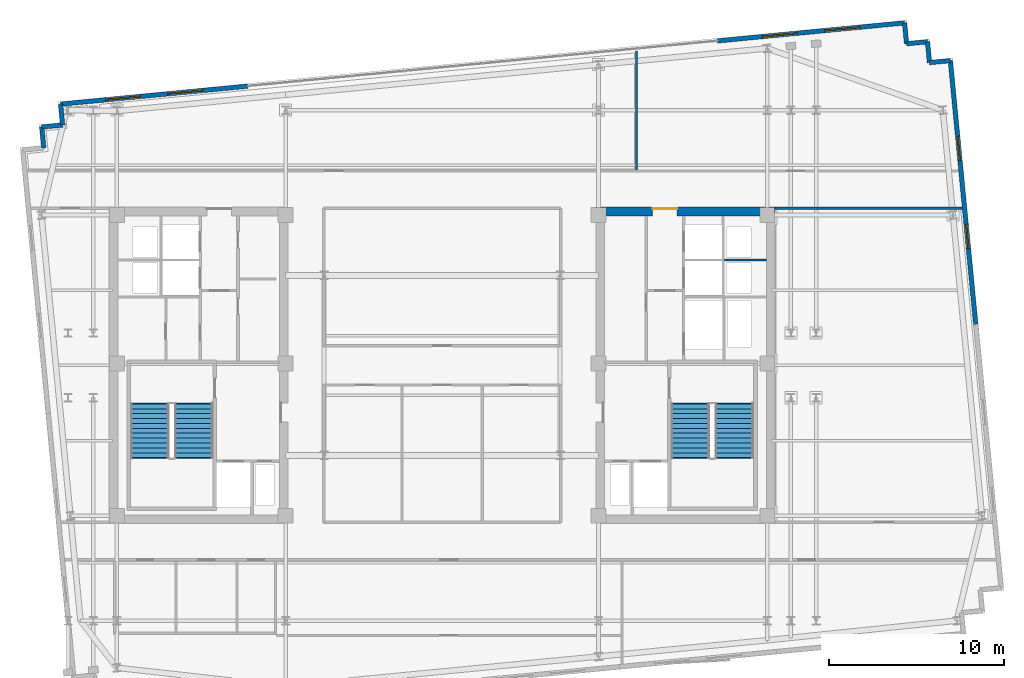
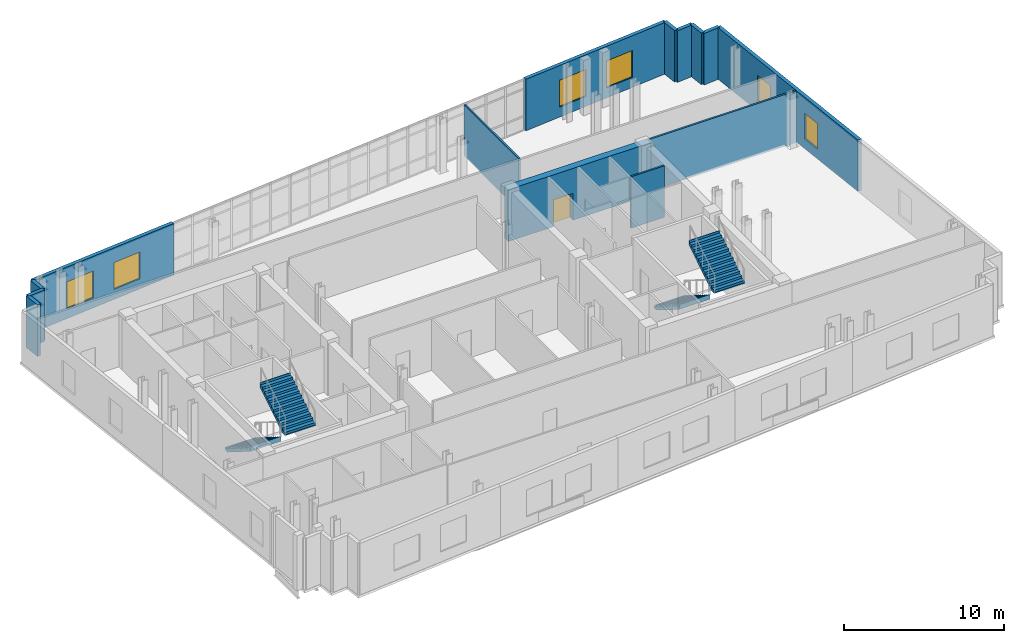
# One storey, part 9 of 11: 14 walls, 6 windows, 4 stair flights, 1 door, 7 openings, 2 elements without a shape of their own.
"""IFC4 building model written with IfcOpenShell, lengths in metres."""

from ifc_helpers import new_model, si_unit, direction, frame, frame_2d, origin, place, context, subcontext, project, spatial, polyline, rectangle, outline, extrude, material, layer, layer_set, type_object, element, fill, aggregate, save


model = new_model("IFC4")

# Units and contexts
model_context = context("Model", 3, precision=1e-05, world=origin(), true_north=direction((0.0, 1.0)))
body_context = subcontext(model_context, "Body", "Model", "MODEL_VIEW")
ifc_project = project(units=[si_unit("LENGTHUNIT", "METRE"), si_unit("AREAUNIT", "SQUARE_METRE"), si_unit("VOLUMEUNIT", "CUBIC_METRE"), si_unit("PLANEANGLEUNIT", "RADIAN"), si_unit("MASSUNIT", "GRAM", prefix="KILO")], contexts=[model_context])

# Site, building, storey
site_placement = place(None, origin())
site = spatial("IfcSite", under=ifc_project, at=site_placement, CompositionType="ELEMENT")
building_placement = place(site_placement, origin())
building = spatial("IfcBuilding", under=site, at=building_placement, Name="Velakula Bourse", CompositionType="ELEMENT")
storey_placement = place(building_placement, frame((0.0, 0.0, 282.75)))
storey = spatial("IfcBuildingStorey", under=building, at=storey_placement, Name="L77", CompositionType="ELEMENT", Elevation=282.75)

# Wall, opening, door
ifc_material_1 = material(Name="Concrete M50 (fck 50 MPa)", Category="concrete")
ifc_layer_1 = layer(ifc_material_1, 0.5, Name="Concrete M50 (fck 50 MPa)", Category="concrete")
ifc_layer_set_1 = layer_set([ifc_layer_1], Name="Concrete M50 (fck 50 MPa)")
wall_type_1 = type_object("IfcWallType", Name="WL-CORE-500", PredefinedType="SHEAR", material=ifc_layer_set_1)
wall_1_placement = place(storey_placement, frame((8.800048828125, 8.800048828125, 0.0), z_axis=(0.0, 0.0, 1.0), x_axis=(1.0, 0.0, 0.0)))
wall_1 = element("IfcWall", 1, at=wall_1_placement, inside=storey, type_object=wall_type_1, Name="L77 Core E Shear Wall N", PredefinedType="SHEAR", context=body_context, shape_type="SweptSolid", body=[
    extrude(rectangle(XDim=10.25, YDim=0.5, at=frame_2d((5.125, 0.0))), origin(), (0.0, 0.0, 1.0), 3.949951171875),
])
opening_1_placement = place(wall_1_placement, frame((3.25, 0.0, 0.0)))
opening_1 = element("IfcOpeningElement", 2, at=opening_1_placement, cuts=wall_1, Name="Opening D-LLE", PredefinedType="OPENING", context=body_context, shape_type="SweptSolid", body=[
    extrude(rectangle(XDim=1.39990234375, YDim=2.050048828125, at=frame_2d((0.699951171875, 1.02490234375))), frame((0.0, 0.260009765625, 0.0), z_axis=(0.0, -1.0, 0.0), x_axis=(1.0, 0.0, 0.0)), (0.0, 0.0, 1.0), 0.52001953125),
])
ifc_material_2 = material(Name="Fire-rated hardwood flush architectural door", Category="wood")
door_type = type_object("IfcDoorType", Name="DR-DBL-FD60-1400", OperationType="DOUBLE_DOOR_SINGLE_SWING", PredefinedType="DOOR", material=ifc_material_2)
door_placement = place(opening_1_placement, origin())
door = element("IfcDoor", 3, at=door_placement, inside=storey, type_object=door_type, Name="L77 Core E Lift Lobby Corridor Double Door", OperationType="DOUBLE_DOOR_SINGLE_SWING", OverallHeight=2.050048828125, OverallWidth=1.39990234375, PredefinedType="DOOR", context=body_context, shape_type="SweptSolid", body=[
    extrude(rectangle(XDim=1.39990234375, YDim=2.050048828125, at=frame_2d((0.699951171875, 1.02490234375))), frame((0.0, 0.19482421875, 0.0), z_axis=(0.0, -1.0, 0.0), x_axis=(1.0, 0.0, 0.0)), (0.0, 0.0, 1.0), 0.050048828125),
])
fill(opening_1, door)

# Wall, openings, windows
ifc_material_3 = material(Name="Buff kilned clay facing brick masonry", Category="masonry")
ifc_layer_2 = layer(ifc_material_3, 0.260009765625, Name="Buff kilned clay facing brick masonry", Category="masonry")
ifc_layer_set_2 = layer_set([ifc_layer_2], Name="Buff kilned clay facing brick masonry")
wall_type_2 = type_object("IfcWallType", Name="WL-EXT-BRK-260", PredefinedType="STANDARD", material=ifc_layer_set_2)
wall_2_placement = place(storey_placement, frame((-21.820556640625, 14.94482421875, 0.0), z_axis=(0.0, 0.0, 1.0), x_axis=(0.995394787719, 0.095860401528, 0.0)))
wall_2 = element("IfcWall", 4, at=wall_2_placement, inside=storey, type_object=wall_type_2, Name="L77 N Brick Spandrel Wall B1", PredefinedType="STANDARD", context=body_context, shape_type="SweptSolid", body=[
    extrude(rectangle(XDim=10.750244140625, YDim=0.260009765625, at=frame_2d((5.375, 0.0))), origin(), (0.0, 0.0, 1.0), 3.929931640625),
])
opening_2_placement = place(wall_2_placement, frame((2.583251953125, 0.0, 0.760009765625)))
opening_2 = element("IfcOpeningElement", 5, at=opening_2_placement, cuts=wall_2, Name="Opening W-05", PredefinedType="OPENING", context=body_context, shape_type="SweptSolid", body=[
    extrude(rectangle(XDim=2.0, YDim=2.050048828125, at=frame_2d((1.0, 1.02490234375))), frame((0.0, 0.139892578125, 0.0), z_axis=(0.0, -1.0, 0.0), x_axis=(1.0, 0.0, 0.0)), (0.0, 0.0, 1.0), 0.280029296875),
])
opening_3_placement = place(wall_2_placement, frame((6.166748046875, 0.0, 0.760009765625)))
opening_3 = element("IfcOpeningElement", 6, at=opening_3_placement, cuts=wall_2, Name="Opening W-05", PredefinedType="OPENING", context=body_context, shape_type="SweptSolid", body=[
    extrude(rectangle(XDim=2.0, YDim=2.050048828125, at=frame_2d((1.0, 1.02490234375))), frame((0.0, 0.139892578125, 0.0), z_axis=(0.0, -1.0, 0.0), x_axis=(1.0, 0.0, 0.0)), (0.0, 0.0, 1.0), 0.280029296875),
])
ifc_material_4 = material(Name="Double-glazed solar-control Low-E glass", Category="glass")
window_type_1 = type_object("IfcWindowType", Name="WIN-TWR-2000x2200", PartitioningType="DOUBLE_PANEL_VERTICAL", PredefinedType="WINDOW", material=ifc_material_4)
window_1_placement = place(opening_2_placement, origin())
window_1 = element("IfcWindow", 7, at=window_1_placement, inside=storey, type_object=window_type_1, Name="L77 Deep-Set Recessed Window 1", OverallHeight=2.050048828125, OverallWidth=2.0, PartitioningType="DOUBLE_PANEL_VERTICAL", PredefinedType="WINDOW", context=body_context, shape_type="SweptSolid", body=[
    extrude(rectangle(XDim=2.0, YDim=2.050048828125, at=frame_2d((1.0, 1.02490234375))), frame((0.0, 0.030029296875, 0.0), z_axis=(0.0, -1.0, 0.0), x_axis=(1.0, 0.0, 0.0)), (0.0, 0.0, 1.0), 0.06005859375),
])
fill(opening_2, window_1)
window_2_placement = place(opening_3_placement, origin())
window_2 = element("IfcWindow", 8, at=window_2_placement, inside=storey, type_object=window_type_1, Name="L77 Deep-Set Recessed Window 2", OverallHeight=2.050048828125, OverallWidth=2.0, PartitioningType="DOUBLE_PANEL_VERTICAL", PredefinedType="WINDOW", context=body_context, shape_type="SweptSolid", body=[
    extrude(rectangle(XDim=2.0, YDim=2.050048828125, at=frame_2d((1.0, 1.02490234375))), frame((0.0, 0.030029296875, 0.0), z_axis=(0.0, -1.0, 0.0), x_axis=(1.0, 0.0, 0.0)), (0.0, 0.0, 1.0), 0.06005859375),
])
fill(opening_3, window_2)

wall_3_placement = place(storey_placement, frame((15.755859375, 18.563232421875, 0.0), z_axis=(0.0, 0.0, 1.0), x_axis=(0.995396745868, 0.095840066339, 0.0)))
wall_3 = element("IfcWall", 9, at=wall_3_placement, inside=storey, type_object=wall_type_2, Name="L77 N Brick Spandrel Wall B5", PredefinedType="STANDARD", context=body_context, shape_type="SweptSolid", body=[
    extrude(rectangle(XDim=10.75, YDim=0.260009765625, at=frame_2d((5.375, 0.0))), origin(), (0.0, 0.0, 1.0), 3.929931640625),
])
opening_4_placement = place(wall_3_placement, frame((2.583251953125, 0.0, 0.760009765625)))
opening_4 = element("IfcOpeningElement", 10, at=opening_4_placement, cuts=wall_3, Name="Opening W-05", PredefinedType="OPENING", context=body_context, shape_type="SweptSolid", body=[
    extrude(rectangle(XDim=2.0, YDim=2.050048828125, at=frame_2d((1.0, 1.02490234375))), frame((0.0, 0.139892578125, 0.0), z_axis=(0.0, -1.0, 0.0), x_axis=(1.0, 0.0, 0.0)), (0.0, 0.0, 1.0), 0.280029296875),
])
opening_5_placement = place(wall_3_placement, frame((6.166748046875, 0.0, 0.760009765625)))
opening_5 = element("IfcOpeningElement", 11, at=opening_5_placement, cuts=wall_3, Name="Opening W-05", PredefinedType="OPENING", context=body_context, shape_type="SweptSolid", body=[
    extrude(rectangle(XDim=2.0, YDim=2.050048828125, at=frame_2d((1.0, 1.02490234375))), frame((0.0, 0.139892578125, 0.0), z_axis=(0.0, -1.0, 0.0), x_axis=(1.0, 0.0, 0.0)), (0.0, 0.0, 1.0), 0.280029296875),
])
window_3_placement = place(opening_4_placement, origin())
window_3 = element("IfcWindow", 12, at=window_3_placement, inside=storey, type_object=window_type_1, Name="L77 Deep-Set Recessed Window 1", OverallHeight=2.050048828125, OverallWidth=2.0, PartitioningType="DOUBLE_PANEL_VERTICAL", PredefinedType="WINDOW", context=body_context, shape_type="SweptSolid", body=[
    extrude(rectangle(XDim=2.0, YDim=2.050048828125, at=frame_2d((1.0, 1.02490234375))), frame((0.0, 0.030029296875, 0.0), z_axis=(0.0, -1.0, 0.0), x_axis=(1.0, 0.0, 0.0)), (0.0, 0.0, 1.0), 0.06005859375),
])
fill(opening_4, window_3)
window_4_placement = place(opening_5_placement, origin())
window_4 = element("IfcWindow", 13, at=window_4_placement, inside=storey, type_object=window_type_1, Name="L77 Deep-Set Recessed Window 2", OverallHeight=2.050048828125, OverallWidth=2.0, PartitioningType="DOUBLE_PANEL_VERTICAL", PredefinedType="WINDOW", context=body_context, shape_type="SweptSolid", body=[
    extrude(rectangle(XDim=2.0, YDim=2.050048828125, at=frame_2d((1.0, 1.02490234375))), frame((0.0, 0.030029296875, 0.0), z_axis=(0.0, -1.0, 0.0), x_axis=(1.0, 0.0, 0.0)), (0.0, 0.0, 1.0), 0.06005859375),
])
fill(opening_5, window_4)

wall_4_placement = place(storey_placement, frame((29.0751953125, 17.4345703125, 0.0), z_axis=(0.0, 0.0, 1.0), x_axis=(0.095850890337, -0.995395703638, 0.0)))
wall_4 = element("IfcWall", 14, at=wall_4_placement, inside=storey, type_object=wall_type_2, Name="L77 E Brick End Wall W2", PredefinedType="STANDARD", context=body_context, shape_type="SweptSolid", body=[
    extrude(rectangle(XDim=15.150146484375, YDim=0.260009765625, at=frame_2d((7.5751953125, 0.0))), origin(), (0.0, 0.0, 1.0), 3.929931640625),
])
opening_6_placement = place(wall_4_placement, frame((4.35009765625, 0.0, 0.760009765625)))
opening_6 = element("IfcOpeningElement", 15, at=opening_6_placement, cuts=wall_4, Name="Opening W-03", PredefinedType="OPENING", context=body_context, shape_type="SweptSolid", body=[
    extrude(rectangle(XDim=1.39990234375, YDim=1.949951171875, at=frame_2d((0.699951171875, 0.97509765625))), frame((0.0, 0.139892578125, 0.0), z_axis=(0.0, -1.0, 0.0), x_axis=(1.0, 0.0, 0.0)), (0.0, 0.0, 1.0), 0.280029296875),
])
opening_7_placement = place(wall_4_placement, frame((9.39990234375, 0.0, 0.760009765625)))
opening_7 = element("IfcOpeningElement", 16, at=opening_7_placement, cuts=wall_4, Name="Opening W-03", PredefinedType="OPENING", context=body_context, shape_type="SweptSolid", body=[
    extrude(rectangle(XDim=1.39990234375, YDim=1.949951171875, at=frame_2d((0.699951171875, 0.97509765625))), frame((0.0, 0.139892578125, 0.0), z_axis=(0.0, -1.0, 0.0), x_axis=(1.0, 0.0, 0.0)), (0.0, 0.0, 1.0), 0.280029296875),
])
window_type_2 = type_object("IfcWindowType", Name="WIN-TWR-1400x2100", PartitioningType="SINGLE_PANEL", PredefinedType="WINDOW", material=ifc_material_4)
window_5_placement = place(opening_6_placement, origin())
window_5 = element("IfcWindow", 17, at=window_5_placement, inside=storey, type_object=window_type_2, Name="L77 Deep-Set Recessed Window 1", OverallHeight=1.949951171875, OverallWidth=1.39990234375, PartitioningType="SINGLE_PANEL", PredefinedType="WINDOW", context=body_context, shape_type="SweptSolid", body=[
    extrude(rectangle(XDim=1.39990234375, YDim=1.949951171875, at=frame_2d((0.699951171875, 0.97509765625))), frame((0.0, 0.030029296875, 0.0), z_axis=(0.0, -1.0, 0.0), x_axis=(1.0, 0.0, 0.0)), (0.0, 0.0, 1.0), 0.06005859375),
])
fill(opening_6, window_5)
window_6_placement = place(opening_7_placement, origin())
window_6 = element("IfcWindow", 18, at=window_6_placement, inside=storey, type_object=window_type_2, Name="L77 Deep-Set Recessed Window 2", OverallHeight=1.949951171875, OverallWidth=1.39990234375, PartitioningType="SINGLE_PANEL", PredefinedType="WINDOW", context=body_context, shape_type="SweptSolid", body=[
    extrude(rectangle(XDim=1.39990234375, YDim=1.949951171875, at=frame_2d((0.699951171875, 0.97509765625))), frame((0.0, 0.030029296875, 0.0), z_axis=(0.0, -1.0, 0.0), x_axis=(1.0, 0.0, 0.0)), (0.0, 0.0, 1.0), 0.06005859375),
])
fill(opening_7, window_6)

# Walls
for number, where, z_axis, x_axis, name in (
    (19, (29.0751953125, 17.4345703125, 0.0), (0.0, 0.0, 1.0), (-0.995397091755, -0.095836473879, 0.0), "L77 Serrated Corner Brick Wall NE-1"),
    (20, (27.880859375, 17.319580078125, 0.0), (0.0, 0.0, 1.0), (-0.095836473879, 0.995397091755, 0.0), "L77 Serrated Corner Brick Wall NE-2"),
):
    element("IfcWall", number, at=place(storey_placement, frame(where, z_axis=z_axis, x_axis=x_axis)), inside=storey, type_object=wall_type_2, Name=name, PredefinedType="STANDARD", context=body_context, shape_type="SweptSolid", body=[
        extrude(rectangle(XDim=1.199951171875, YDim=0.260009765625, at=frame_2d((0.60009765625, 0.0))), origin(), (0.0, 0.0, 1.0), 3.929931640625),
    ])
for number, where, z_axis, x_axis, name in (
    (21, (27.765869140625, 18.513916015625, 0.0), (0.0, 0.0, 1.0), (-0.995398960025, -0.095817067274, 0.0), "L77 Serrated Corner Brick Wall NE-3"),
    (22, (26.5712890625, 18.39892578125, 0.0), (0.0, 0.0, 1.0), (-0.095817067274, 0.995398960025, 0.0), "L77 Serrated Corner Brick Wall NE-4"),
):
    element("IfcWall", number, at=place(storey_placement, frame(where, z_axis=z_axis, x_axis=x_axis)), inside=storey, type_object=wall_type_2, Name=name, PredefinedType="STANDARD", context=body_context, shape_type="SweptSolid", body=[
        extrude(rectangle(XDim=1.2001953125, YDim=0.260009765625, at=frame_2d((0.60009765625, 0.0))), origin(), (0.0, 0.0, 1.0), 3.929931640625),
    ])
wall_5_placement = place(storey_placement, frame((-21.820556640625, 14.94482421875, 0.0), z_axis=(0.0, 0.0, 1.0), x_axis=(0.096038073607, -0.995377661201, 0.0)))
element("IfcWall", 23, at=wall_5_placement, inside=storey, type_object=wall_type_2, Name="L77 Serrated Corner Brick Wall NW-1", PredefinedType="STANDARD", context=body_context, shape_type="SweptSolid", body=[
    extrude(rectangle(XDim=1.199951171875, YDim=0.260009765625, at=frame_2d((0.60009765625, 0.0))), origin(), (0.0, 0.0, 1.0), 3.929931640625),
])
for number, where, z_axis, x_axis, name in (
    (24, (-21.705322265625, 13.75048828125, 0.0), (0.0, 0.0, 1.0), (-0.995398960025, -0.095817067274, 0.0), "L77 Serrated Corner Brick Wall NW-2"),
    (25, (-22.89990234375, 13.635498046875, 0.0), (0.0, 0.0, 1.0), (0.095817067274, -0.995398960025, 0.0), "L77 Serrated Corner Brick Wall NW-3"),
):
    element("IfcWall", number, at=place(storey_placement, frame(where, z_axis=z_axis, x_axis=x_axis)), inside=storey, type_object=wall_type_2, Name=name, PredefinedType="STANDARD", context=body_context, shape_type="SweptSolid", body=[
        extrude(rectangle(XDim=1.2001953125, YDim=0.260009765625, at=frame_2d((0.60009765625, 0.0))), origin(), (0.0, 0.0, 1.0), 3.929931640625),
    ])
ifc_material_5 = material(Name="Fire-rated double-layer gypsum drywall partition", Category="gypsum")
ifc_layer_3 = layer(ifc_material_5, 0.1201171875, Name="Fire-rated double-layer gypsum drywall partition", Category="gypsum")
ifc_layer_set_3 = layer_set([ifc_layer_3], Name="Fire-rated double-layer gypsum drywall partition")
wall_type_3 = type_object("IfcWallType", Name="WL-PART-120", PredefinedType="STANDARD", material=ifc_layer_set_3)
wall_6_placement = place(storey_placement, frame((16.14990234375, 6.030029296875, 0.0), z_axis=(0.0, 0.0, 1.0), x_axis=(1.0, 0.0, 0.0)))
element("IfcWall", 26, at=wall_6_placement, inside=storey, type_object=wall_type_3, Name="L77 Interior Partition WL-CRE-L77-RIS-MID", PredefinedType="STANDARD", context=body_context, shape_type="SweptSolid", body=[
    extrude(rectangle(XDim=2.400146484375, YDim=0.1201171875, at=frame_2d((1.2001953125, 0.0))), origin(), (0.0, 0.0, 1.0), 3.929931640625),
])
wall_7_placement = place(storey_placement, frame((11.112060546875, 11.18994140625, 0.0), z_axis=(0.0, 0.0, 1.0), x_axis=(0.0, 1.0, 0.0)))
element("IfcWall", 27, at=wall_7_placement, inside=storey, type_object=wall_type_3, Name="L77 Interior Partition WL-INT-L77-N-D1", PredefinedType="STANDARD", context=body_context, shape_type="SweptSolid", body=[
    extrude(rectangle(XDim=6.79541015625, YDim=0.1201171875, at=frame_2d((3.397705078125, 0.0))), origin(), (0.0, 0.0, 1.0), 3.929931640625),
])
ifc_layer_4 = layer(ifc_material_5, 0.139892578125, Name="Fire-rated double-layer gypsum drywall partition", Category="gypsum")
ifc_layer_set_4 = layer_set([ifc_layer_4], Name="Fire-rated double-layer gypsum drywall partition")
wall_type_4 = type_object("IfcWallType", Name="WL-PART-140", PredefinedType="STANDARD", material=ifc_layer_set_4)
wall_8_placement = place(storey_placement, frame((19.050048828125, 8.97998046875, 0.0), z_axis=(0.0, 0.0, 1.0), x_axis=(1.0, 0.0, 0.0)))
element("IfcWall", 28, at=wall_8_placement, inside=storey, type_object=wall_type_4, Name="L77 Interior Partition WL-INT-L77-E-NC", PredefinedType="STANDARD", context=body_context, shape_type="SweptSolid", body=[
    extrude(rectangle(XDim=10.708740234375, YDim=0.139892578125, at=frame_2d((5.3544921875, 0.0))), origin(), (0.0, 0.0, 1.0), 3.929931640625),
])

# Stair, stair flights
ifc_material_6 = material(Name="Concrete M45 (fck 45 MPa)", Category="concrete")
stair_type = type_object("IfcStairType", Name="STR-DOG-435", PredefinedType="HALF_TURN_STAIR", material=ifc_material_6)
stair_1_placement = place(storey_placement, origin())
stair_1 = element("IfcStair", 29, at=stair_1_placement, inside=storey, type_object=stair_type, Name="L77 West Core Exit Stair ST-W1", PredefinedType="HALF_TURN_STAIR")
ifc_layer_5 = layer(ifc_material_6, 0.199951171875, Name="Concrete M45 (fck 45 MPa)", Category="concrete")
ifc_layer_set_5 = layer_set([ifc_layer_5], Name="Concrete M45 (fck 45 MPa)")
stair_flight_type = type_object("IfcStairFlightType", Name="FLT-DOG-435", PredefinedType="STRAIGHT", material=ifc_layer_set_5)
stair_flight_1_placement = place(storey_placement, frame((-16.720947265625, -2.199951171875, 0.0), z_axis=(0.0, 0.0, 1.0), x_axis=(0.0, -1.0, 0.0)))
stair_flight_1 = element("IfcStairFlight", 30, at=stair_flight_1_placement, type_object=stair_flight_type, Name="ST-W1 flight 1", NumberOfRisers=12, NumberOfTreads=11, PredefinedType="STRAIGHT", RiserHeight=0.175, TreadLength=0.28, context=body_context, shape_type="SweptSolid", body=[
    extrude(outline(polyline([(-0.044921875, -0.0400390625), (-0.044921875, -0.036865234375), (-0.044921875, -0.033935546875), (-0.044921875, -0.03076171875), (-0.044921875, -0.027587890625), (-0.044921875, -0.024658203125), (-0.044921875, -0.021484375), (-0.044921875, -0.0185546875), (-0.044921875, -0.015380859375), (-0.044921875, -0.01220703125), (-0.044921875, -0.00927734375), (-0.044921875, -0.006103515625), (-0.044921875, -0.003173828125), (-0.044921875, 0.0), (0.0, 0.0), (0.0, 0.175048828125), (0.280029296875, 0.175048828125), (0.280029296875, 0.35009765625), (0.56005859375, 0.35009765625), (0.56005859375, 0.52490234375), (0.840087890625, 0.52490234375), (0.840087890625, 0.699951171875), (1.1201171875, 0.699951171875), (1.1201171875, 0.875), (1.39990234375, 0.875), (1.39990234375, 1.050048828125), (1.679931640625, 1.050048828125), (1.679931640625, 1.22509765625), (1.9599609375, 1.22509765625), (1.9599609375, 1.39990234375), (2.239990234375, 1.39990234375), (2.239990234375, 1.574951171875), (2.52001953125, 1.574951171875), (2.52001953125, 1.75), (2.800048828125, 1.75), (2.800048828125, 1.925048828125), (3.080078125, 1.925048828125), (3.080078125, 2.10009765625), (3.125, 2.10009765625), (3.125, 2.074951171875), (3.125, 2.0498046875), (3.125, 2.024658203125), (3.125, 1.99951171875), (3.125, 1.974365234375), (3.125, 1.94921875), (3.125, 1.924072265625), (3.125, 1.89892578125), (3.125, 1.873779296875), (3.125, 1.8486328125), (3.125, 1.823486328125), (3.125, 1.798583984375), (3.125, 1.7734375), (3.125, 1.748291015625), (0.28271484375, -0.0400390625), (-0.044921875, -0.0400390625)])), frame((0.0, 1.09912109375, 0.0), z_axis=(0.0, -1.0, 0.0), x_axis=(1.0, 0.0, 0.0)), (0.0, 0.0, 1.0), 2.197998046875),
])
stair_flight_2_placement = place(storey_placement, frame((-14.198974609375, -5.280029296875, 2.10009765625), z_axis=(0.0, 0.0, 1.0), x_axis=(0.0, 1.0, 0.0)))
stair_flight_2 = element("IfcStairFlight", 31, at=stair_flight_2_placement, type_object=stair_flight_type, Name="ST-W1 flight 2", NumberOfRisers=12, NumberOfTreads=11, PredefinedType="STRAIGHT", RiserHeight=0.175, TreadLength=0.28, context=body_context, shape_type="SweptSolid", body=[
    extrude(outline(polyline([(-0.044921875, -0.0400390625), (-0.044921875, -0.036865234375), (-0.044921875, -0.033935546875), (-0.044921875, -0.03076171875), (-0.044921875, -0.027587890625), (-0.044921875, -0.024658203125), (-0.044921875, -0.021484375), (-0.044921875, -0.0185546875), (-0.044921875, -0.015380859375), (-0.044921875, -0.01220703125), (-0.044921875, -0.00927734375), (-0.044921875, -0.006103515625), (-0.044921875, -0.003173828125), (-0.044921875, 0.0), (0.0, 0.0), (0.0, 0.175048828125), (0.280029296875, 0.175048828125), (0.280029296875, 0.35009765625), (0.56005859375, 0.35009765625), (0.56005859375, 0.52490234375), (0.840087890625, 0.52490234375), (0.840087890625, 0.699951171875), (1.1201171875, 0.699951171875), (1.1201171875, 0.875), (1.39990234375, 0.875), (1.39990234375, 1.050048828125), (1.679931640625, 1.050048828125), (1.679931640625, 1.22509765625), (1.9599609375, 1.22509765625), (1.9599609375, 1.39990234375), (2.239990234375, 1.39990234375), (2.239990234375, 1.574951171875), (2.52001953125, 1.574951171875), (2.52001953125, 1.75), (2.800048828125, 1.75), (2.800048828125, 1.925048828125), (3.080078125, 1.925048828125), (3.080078125, 2.10009765625), (3.125, 2.10009765625), (3.125, 2.074951171875), (3.125, 2.0498046875), (3.125, 2.024658203125), (3.125, 1.99951171875), (3.125, 1.974365234375), (3.125, 1.94921875), (3.125, 1.924072265625), (3.125, 1.89892578125), (3.125, 1.873779296875), (3.125, 1.8486328125), (3.125, 1.823486328125), (3.125, 1.798583984375), (3.125, 1.7734375), (3.125, 1.748291015625), (0.28271484375, -0.0400390625), (-0.044921875, -0.0400390625)])), frame((0.0, 1.09912109375, 0.0), z_axis=(0.0, -1.0, 0.0), x_axis=(1.0, 0.0, 0.0)), (0.0, 0.0, 1.0), 2.197998046875),
])
aggregate(stair_1, [stair_flight_1, stair_flight_2])

stair_2_placement = place(storey_placement, origin())
stair_2 = element("IfcStair", 32, at=stair_2_placement, inside=storey, type_object=stair_type, Name="L77 East Core Exit Stair ST-E1", PredefinedType="HALF_TURN_STAIR")
stair_flight_3_placement = place(storey_placement, frame((14.198974609375, -2.199951171875, 0.0), z_axis=(0.0, 0.0, 1.0), x_axis=(0.0, -1.0, 0.0)))
stair_flight_3 = element("IfcStairFlight", 33, at=stair_flight_3_placement, type_object=stair_flight_type, Name="ST-E1 flight 1", NumberOfRisers=12, NumberOfTreads=11, PredefinedType="STRAIGHT", RiserHeight=0.175, TreadLength=0.28, context=body_context, shape_type="SweptSolid", body=[
    extrude(outline(polyline([(-0.044921875, -0.0400390625), (-0.044921875, -0.036865234375), (-0.044921875, -0.033935546875), (-0.044921875, -0.03076171875), (-0.044921875, -0.027587890625), (-0.044921875, -0.024658203125), (-0.044921875, -0.021484375), (-0.044921875, -0.0185546875), (-0.044921875, -0.015380859375), (-0.044921875, -0.01220703125), (-0.044921875, -0.00927734375), (-0.044921875, -0.006103515625), (-0.044921875, -0.003173828125), (-0.044921875, 0.0), (0.0, 0.0), (0.0, 0.175048828125), (0.280029296875, 0.175048828125), (0.280029296875, 0.35009765625), (0.56005859375, 0.35009765625), (0.56005859375, 0.52490234375), (0.840087890625, 0.52490234375), (0.840087890625, 0.699951171875), (1.1201171875, 0.699951171875), (1.1201171875, 0.875), (1.39990234375, 0.875), (1.39990234375, 1.050048828125), (1.679931640625, 1.050048828125), (1.679931640625, 1.22509765625), (1.9599609375, 1.22509765625), (1.9599609375, 1.39990234375), (2.239990234375, 1.39990234375), (2.239990234375, 1.574951171875), (2.52001953125, 1.574951171875), (2.52001953125, 1.75), (2.800048828125, 1.75), (2.800048828125, 1.925048828125), (3.080078125, 1.925048828125), (3.080078125, 2.10009765625), (3.125, 2.10009765625), (3.125, 2.074951171875), (3.125, 2.0498046875), (3.125, 2.024658203125), (3.125, 1.99951171875), (3.125, 1.974365234375), (3.125, 1.94921875), (3.125, 1.924072265625), (3.125, 1.89892578125), (3.125, 1.873779296875), (3.125, 1.8486328125), (3.125, 1.823486328125), (3.125, 1.798583984375), (3.125, 1.7734375), (3.125, 1.748291015625), (0.28271484375, -0.0400390625), (-0.044921875, -0.0400390625)])), frame((0.0, 1.09912109375, 0.0), z_axis=(0.0, -1.0, 0.0), x_axis=(1.0, 0.0, 0.0)), (0.0, 0.0, 1.0), 2.197998046875),
])
stair_flight_4_placement = place(storey_placement, frame((16.720947265625, -5.280029296875, 2.10009765625), z_axis=(0.0, 0.0, 1.0), x_axis=(0.0, 1.0, 0.0)))
stair_flight_4 = element("IfcStairFlight", 34, at=stair_flight_4_placement, type_object=stair_flight_type, Name="ST-E1 flight 2", NumberOfRisers=12, NumberOfTreads=11, PredefinedType="STRAIGHT", RiserHeight=0.175, TreadLength=0.28, context=body_context, shape_type="SweptSolid", body=[
    extrude(outline(polyline([(-0.044921875, -0.0400390625), (-0.044921875, -0.036865234375), (-0.044921875, -0.033935546875), (-0.044921875, -0.03076171875), (-0.044921875, -0.027587890625), (-0.044921875, -0.024658203125), (-0.044921875, -0.021484375), (-0.044921875, -0.0185546875), (-0.044921875, -0.015380859375), (-0.044921875, -0.01220703125), (-0.044921875, -0.00927734375), (-0.044921875, -0.006103515625), (-0.044921875, -0.003173828125), (-0.044921875, 0.0), (0.0, 0.0), (0.0, 0.175048828125), (0.280029296875, 0.175048828125), (0.280029296875, 0.35009765625), (0.56005859375, 0.35009765625), (0.56005859375, 0.52490234375), (0.840087890625, 0.52490234375), (0.840087890625, 0.699951171875), (1.1201171875, 0.699951171875), (1.1201171875, 0.875), (1.39990234375, 0.875), (1.39990234375, 1.050048828125), (1.679931640625, 1.050048828125), (1.679931640625, 1.22509765625), (1.9599609375, 1.22509765625), (1.9599609375, 1.39990234375), (2.239990234375, 1.39990234375), (2.239990234375, 1.574951171875), (2.52001953125, 1.574951171875), (2.52001953125, 1.75), (2.800048828125, 1.75), (2.800048828125, 1.925048828125), (3.080078125, 1.925048828125), (3.080078125, 2.10009765625), (3.125, 2.10009765625), (3.125, 2.074951171875), (3.125, 2.0498046875), (3.125, 2.024658203125), (3.125, 1.99951171875), (3.125, 1.974365234375), (3.125, 1.94921875), (3.125, 1.924072265625), (3.125, 1.89892578125), (3.125, 1.873779296875), (3.125, 1.8486328125), (3.125, 1.823486328125), (3.125, 1.798583984375), (3.125, 1.7734375), (3.125, 1.748291015625), (0.28271484375, -0.0400390625), (-0.044921875, -0.0400390625)])), frame((0.0, 1.09912109375, 0.0), z_axis=(0.0, -1.0, 0.0), x_axis=(1.0, 0.0, 0.0)), (0.0, 0.0, 1.0), 2.197998046875),
])
aggregate(stair_2, [stair_flight_3, stair_flight_4])

save(model, "model.ifc")
